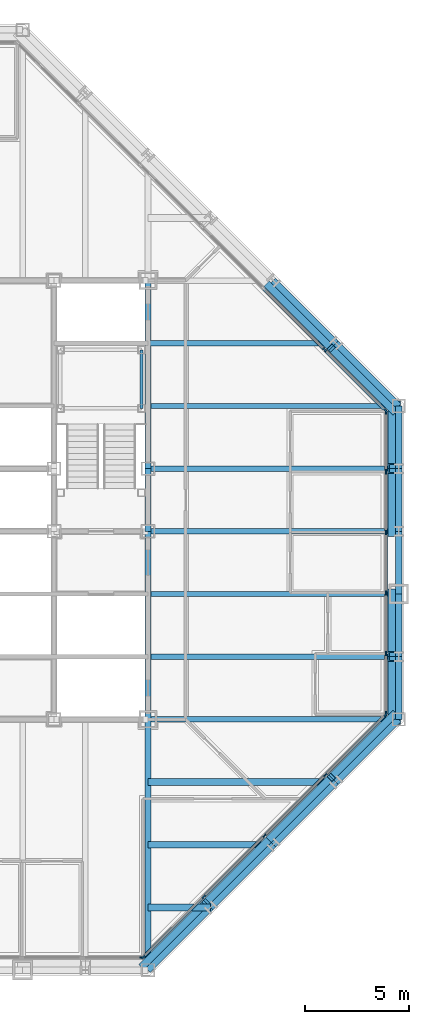
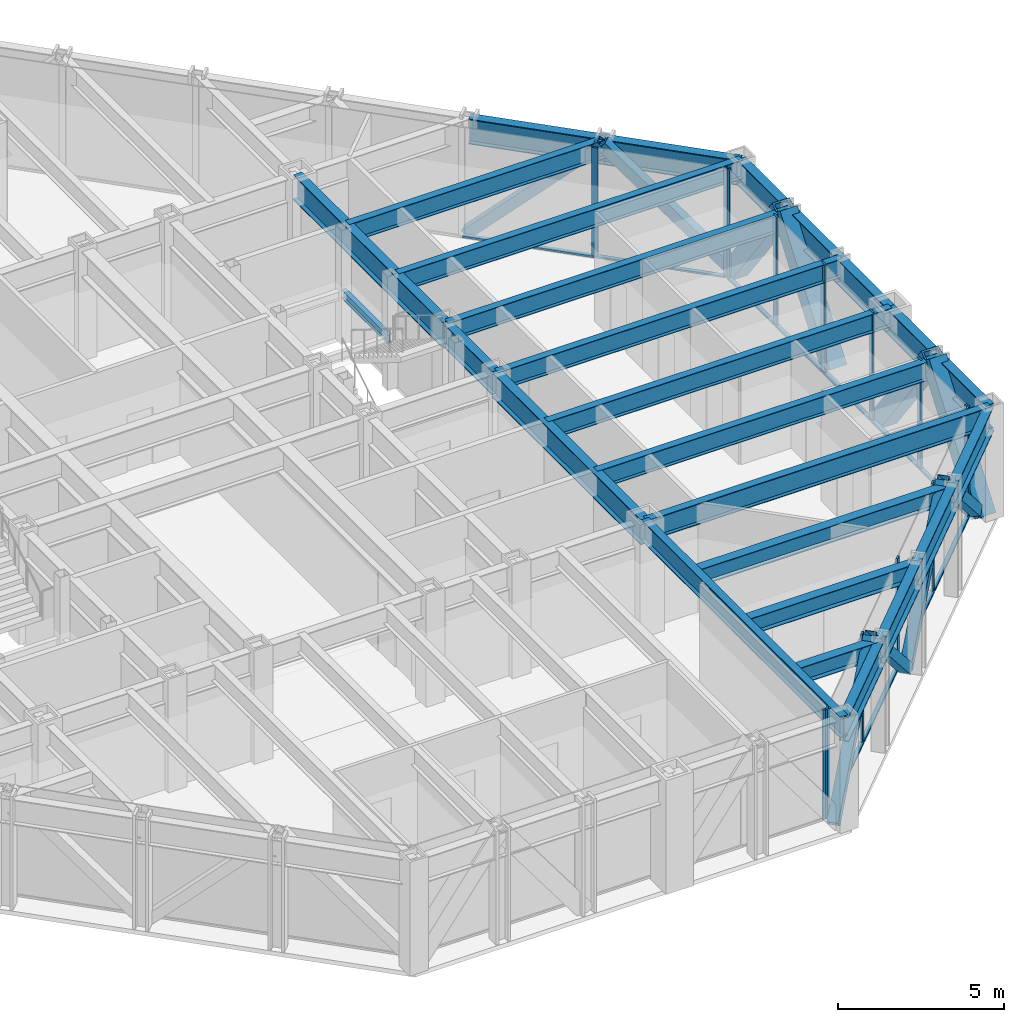
# One storey, part 6 of 15: 35 members, 26 beams, 4 elements without a shape of their own.
"""IFC4 building model written with IfcOpenShell, lengths in metres."""

from ifc_helpers import new_model, si_unit, direction, frame, origin, origin_2d, place, context, subcontext, project, spatial, rectangle, hollow_rectangle, i_section, extrude, material, layer, layer_set, material_profile, profile_set, type_object, element, aggregate, save


model = new_model("IFC4")

# Units and contexts
model_context = context("Model", 3, precision=1e-05, world=origin(), true_north=direction((0.0, 1.0)))
body_context = subcontext(model_context, "Body", "Model", "MODEL_VIEW")
ifc_project = project(units=[si_unit("LENGTHUNIT", "METRE"), si_unit("AREAUNIT", "SQUARE_METRE"), si_unit("VOLUMEUNIT", "CUBIC_METRE"), si_unit("PLANEANGLEUNIT", "RADIAN"), si_unit("MASSUNIT", "GRAM", prefix="KILO")], contexts=[model_context])

# Site, building, storey
site_placement = place(None, origin())
site = spatial("IfcSite", under=ifc_project, at=site_placement, CompositionType="ELEMENT")
building_placement = place(site_placement, origin())
building = spatial("IfcBuilding", under=site, at=building_placement, Name="Chuquiago Exchange Tower", CompositionType="ELEMENT")
storey_placement = place(building_placement, frame((0.0, 0.0, 192.89990234375)))
storey = spatial("IfcBuildingStorey", under=building, at=storey_placement, Name="L42", CompositionType="ELEMENT", Elevation=192.89990234375)

# Beams
ifc_material_1 = material(Name="Steel ASTM A992", Category="steel")
ifc_material_profile_1 = material_profile(ifc_material_1, i_section(OverallWidth=0.25390625, OverallDepth=0.683349609375, WebThickness=0.012451171875, FlangeThickness=0.018798828125, at=origin_2d()), Name="W27X94")
ifc_profile_set_1 = profile_set([ifc_material_profile_1], Name="Steel ASTM A992")
beam_type_1 = type_object("IfcBeamType", Name="B1 W27X94", PredefinedType="BEAM", material=ifc_profile_set_1)
for number, where, z_axis, x_axis, name in (
    (1, (33.0, 15.0, 3.698486328125), (1.0, 0.0, 0.0), (0.0, 1.0, 0.0), "FB-L43-infill-33_15-45_15-0"),
    (2, (33.0, 18.0, 3.698486328125), (1.0, 0.0, 0.0), (0.0, 1.0, 0.0), "FB-L43-infill-33_18-45_18-0"),
    (3, (33.0, 21.0, 3.698486328125), (1.0, 0.0, 0.0), (0.0, 1.0, 0.0), "FB-L43-infill-33_21-45_21-0"),
    (4, (33.0, 24.0, 3.698486328125), (1.0, 0.0, 0.0), (0.0, 1.0, 0.0), "FB-L43-infill-33_24-45_24-0"),
    (5, (33.0, 27.0, 3.698486328125), (1.0, 0.0, 0.0), (0.0, 1.0, 0.0), "FB-L43-infill-33_27-45_27-0"),
):
    element("IfcBeam", number, at=place(storey_placement, frame(where, z_axis=z_axis, x_axis=x_axis)), inside=storey, type_object=beam_type_1, Name=name, PredefinedType="BEAM", context=body_context, shape_type="SweptSolid", body=[
        extrude(i_section(OverallWidth=0.25390625, OverallDepth=0.683349609375, WebThickness=0.012451171875, FlangeThickness=0.018798828125, at=origin_2d()), origin(), (0.0, 0.0, 1.0), 12.0),
    ])
beam_1_placement = place(storey_placement, frame((33.0, 30.0, 3.698486328125), z_axis=(1.0, 0.0, 0.0), x_axis=(0.0, 1.0, 0.0)))
element("IfcBeam", 6, at=beam_1_placement, inside=storey, type_object=beam_type_1, Name="FB-L43-infill-33_30-42_30-0", PredefinedType="BEAM", context=body_context, shape_type="SweptSolid", body=[
    extrude(i_section(OverallWidth=0.25390625, OverallDepth=0.683349609375, WebThickness=0.012451171875, FlangeThickness=0.018798828125, at=origin_2d()), origin(), (0.0, 0.0, 1.0), 9.0),
])
ifc_material_2 = material(Name="Steel ASTM A992", Category="steel")
ifc_material_profile_2 = material_profile(ifc_material_2, i_section(OverallWidth=0.307373046875, OverallDepth=0.927001953125, WebThickness=0.01953125, FlangeThickness=0.031982421875, at=origin_2d()), Name="W36X194")
ifc_profile_set_2 = profile_set([ifc_material_profile_2], Name="Steel ASTM A992")
beam_type_2 = type_object("IfcBeamType", Name="B10 W36X194", PredefinedType="BEAM", material=ifc_profile_set_2)
for number, where, z_axis, x_axis, name in (
    (7, (33.0, 12.0, 3.576416015625), (0.0, 1.0, 0.0), (-1.0, 0.0, 0.0), "CB-L43-33_12-33_21"),
    (8, (33.0, 24.0, 3.576416015625), (0.0, 1.0, 0.0), (-1.0, 0.0, 0.0), "CB-L43-33_24-33_33"),
):
    element("IfcBeam", number, at=place(storey_placement, frame(where, z_axis=z_axis, x_axis=x_axis)), inside=storey, type_object=beam_type_2, Name=name, PredefinedType="BEAM", context=body_context, shape_type="SweptSolid", body=[
        extrude(i_section(OverallWidth=0.307373046875, OverallDepth=0.927001953125, WebThickness=0.01953125, FlangeThickness=0.031982421875, at=origin_2d()), origin(), (0.0, 0.0, 1.0), 9.0),
    ])
ifc_material_3 = material(Name="Steel ASTM A992", Category="steel")
ifc_material_profile_3 = material_profile(ifc_material_3, i_section(OverallWidth=0.3251953125, OverallDepth=0.612060546875, WebThickness=0.0126953125, FlangeThickness=0.01904296875, at=origin_2d()), Name="W24X104")
ifc_profile_set_3 = profile_set([ifc_material_profile_3], Name="Steel ASTM A992")
beam_type_3 = type_object("IfcBeamType", Name="B2 W24X104", PredefinedType="BEAM", material=ifc_profile_set_3)
beam_2_placement = place(storey_placement, frame((33.0, 3.0, 3.73388671875), z_axis=(1.0, 0.0, 0.0), x_axis=(0.0, 1.0, 0.0)))
element("IfcBeam", 9, at=beam_2_placement, inside=storey, type_object=beam_type_3, Name="FB-L43-corner-33_3-36_3-0", PredefinedType="BEAM", context=body_context, shape_type="SweptSolid", body=[
    extrude(i_section(OverallWidth=0.3251953125, OverallDepth=0.612060546875, WebThickness=0.0126953125, FlangeThickness=0.01904296875, at=origin_2d()), origin(), (0.0, 0.0, 1.0), 3.0),
])
beam_3_placement = place(storey_placement, frame((33.0, 6.0, 3.73388671875), z_axis=(1.0, 0.0, 0.0), x_axis=(0.0, 1.0, 0.0)))
element("IfcBeam", 10, at=beam_3_placement, inside=storey, type_object=beam_type_3, Name="FB-L43-corner-33_6-39_6-0", PredefinedType="BEAM", context=body_context, shape_type="SweptSolid", body=[
    extrude(i_section(OverallWidth=0.3251953125, OverallDepth=0.612060546875, WebThickness=0.0126953125, FlangeThickness=0.01904296875, at=origin_2d()), origin(), (0.0, 0.0, 1.0), 6.0),
])
beam_4_placement = place(storey_placement, frame((33.0, 9.0, 3.73388671875), z_axis=(1.0, 0.0, 0.0), x_axis=(0.0, 1.0, 0.0)))
element("IfcBeam", 11, at=beam_4_placement, inside=storey, type_object=beam_type_3, Name="FB-L43-corner-33_9-42_9-0", PredefinedType="BEAM", context=body_context, shape_type="SweptSolid", body=[
    extrude(i_section(OverallWidth=0.3251953125, OverallDepth=0.612060546875, WebThickness=0.0126953125, FlangeThickness=0.01904296875, at=origin_2d()), origin(), (0.0, 0.0, 1.0), 9.0),
])
ifc_material_4 = material(Name="Steel ASTM A992", Category="steel")
ifc_material_profile_4 = material_profile(ifc_material_4, i_section(OverallWidth=0.2919921875, OverallDepth=0.8583984375, WebThickness=0.01708984375, FlangeThickness=0.031005859375, at=origin_2d()), Name="W33X169")
ifc_profile_set_4 = profile_set([ifc_material_profile_4], Name="Steel ASTM A992")
beam_type_4 = type_object("IfcBeamType", Name="B3 W33X169", PredefinedType="BEAM", material=ifc_profile_set_4)
beam_5_placement = place(storey_placement, frame((33.0, 21.0, 3.61083984375), z_axis=(0.0, 1.0, 0.0), x_axis=(-1.0, 0.0, 0.0)))
element("IfcBeam", 12, at=beam_5_placement, inside=storey, type_object=beam_type_4, Name="CB-L43-33_21-33_24", PredefinedType="BEAM", context=body_context, shape_type="SweptSolid", body=[
    extrude(i_section(OverallWidth=0.2919921875, OverallDepth=0.8583984375, WebThickness=0.01708984375, FlangeThickness=0.031005859375, at=origin_2d()), origin(), (0.0, 0.0, 1.0), 3.0),
])

# Curtain wall, member
ifc_material_5 = material(Name="Aluminium curtain wall system", Category="aluminium")
ifc_layer_1 = layer(ifc_material_5, 0.22509765625)
ifc_layer_set_1 = layer_set([ifc_layer_1], Name="CW2 office curtain wall")
curtain_wall_type_1 = type_object("IfcCurtainWallType", Name="CW2 office curtain wall", PredefinedType="NOTDEFINED", material=ifc_layer_set_1)
curtain_wall_1_placement = place(storey_placement, origin())
curtain_wall_1 = element("IfcCurtainWall", 13, at=curtain_wall_1_placement, inside=storey, type_object=curtain_wall_type_1, Name="CW2 curtain wall L42", PredefinedType="NOTDEFINED")
ifc_material_6 = material(Name="Aluminium mullion, pale anodised", Category="aluminium")
ifc_material_profile_5 = material_profile(ifc_material_6, rectangle(XDim=0.06494140625, YDim=0.22509765625, at=origin_2d()), Name="AL 65x225")
ifc_profile_set_5 = profile_set([ifc_material_profile_5], Name="Aluminium mullion, pale anodised")
member_type_1 = type_object("IfcMemberType", Name="CW2-M mullion 65x225", PredefinedType="MULLION", material=ifc_profile_set_5)
member_1_placement = place(storey_placement, frame((32.718994140625, 0.60009765625, 0.0), z_axis=(0.0, 0.0, 1.0), x_axis=(0.0, 1.0, 0.0)))
member_1 = element("IfcMember", 14, at=member_1_placement, type_object=member_type_1, Name="CW2 mullion 6", PredefinedType="MULLION", context=body_context, shape_type="SweptSolid", body=[
    extrude(rectangle(XDim=0.06494140625, YDim=0.22509765625, at=origin_2d()), origin(), (0.0, 0.0, 1.0), 4.0400390625),
])
aggregate(curtain_wall_1, [member_1])

# Curtain wall, members
curtain_wall_2_placement = place(storey_placement, origin())
curtain_wall_2 = element("IfcCurtainWall", 15, at=curtain_wall_2_placement, inside=storey, type_object=curtain_wall_type_1, Name="CW2 curtain wall L42", PredefinedType="NOTDEFINED")
member_2_placement = place(storey_placement, frame((44.39990234375, 12.281005859375, 0.0), z_axis=(0.0, 0.0, 1.0), x_axis=(-1.0, 0.0, 0.0)))
member_2 = element("IfcMember", 16, at=member_2_placement, type_object=member_type_1, Name="CW2 mullion 1", PredefinedType="MULLION", context=body_context, shape_type="SweptSolid", body=[
    extrude(rectangle(XDim=0.06494140625, YDim=0.22509765625, at=origin_2d()), origin(), (0.0, 0.0, 1.0), 4.0400390625),
])
member_3_placement = place(storey_placement, frame((44.39990234375, 15.149169921875, 0.0), z_axis=(0.0, 0.0, 1.0), x_axis=(-1.0, 0.0, 0.0)))
member_3 = element("IfcMember", 17, at=member_3_placement, type_object=member_type_1, Name="CW2 mullion 2", PredefinedType="MULLION", context=body_context, shape_type="SweptSolid", body=[
    extrude(rectangle(XDim=0.06494140625, YDim=0.22509765625, at=origin_2d()), origin(), (0.0, 0.0, 1.0), 4.0400390625),
])
member_4_placement = place(storey_placement, frame((44.39990234375, 18.0498046875, 0.0), z_axis=(0.0, 0.0, 1.0), x_axis=(-1.0, 0.0, 0.0)))
member_4 = element("IfcMember", 18, at=member_4_placement, type_object=member_type_1, Name="CW2 mullion 3", PredefinedType="MULLION", context=body_context, shape_type="SweptSolid", body=[
    extrude(rectangle(XDim=0.06494140625, YDim=0.22509765625, at=origin_2d()), origin(), (0.0, 0.0, 1.0), 4.0400390625),
])
member_5_placement = place(storey_placement, frame((44.39990234375, 20.9501953125, 0.0), z_axis=(0.0, 0.0, 1.0), x_axis=(-1.0, 0.0, 0.0)))
member_5 = element("IfcMember", 19, at=member_5_placement, type_object=member_type_1, Name="CW2 mullion 4", PredefinedType="MULLION", context=body_context, shape_type="SweptSolid", body=[
    extrude(rectangle(XDim=0.06494140625, YDim=0.22509765625, at=origin_2d()), origin(), (0.0, 0.0, 1.0), 4.0400390625),
])
member_6_placement = place(storey_placement, frame((44.39990234375, 23.850830078125, 0.0), z_axis=(0.0, 0.0, 1.0), x_axis=(-1.0, 0.0, 0.0)))
member_6 = element("IfcMember", 20, at=member_6_placement, type_object=member_type_1, Name="CW2 mullion 5", PredefinedType="MULLION", context=body_context, shape_type="SweptSolid", body=[
    extrude(rectangle(XDim=0.06494140625, YDim=0.22509765625, at=origin_2d()), origin(), (0.0, 0.0, 1.0), 4.0400390625),
])
member_7_placement = place(storey_placement, frame((44.39990234375, 26.718994140625, 0.0), z_axis=(0.0, 0.0, 1.0), x_axis=(-1.0, 0.0, 0.0)))
member_7 = element("IfcMember", 21, at=member_7_placement, type_object=member_type_1, Name="CW2 mullion 6", PredefinedType="MULLION", context=body_context, shape_type="SweptSolid", body=[
    extrude(rectangle(XDim=0.06494140625, YDim=0.22509765625, at=origin_2d()), origin(), (0.0, 0.0, 1.0), 4.0400390625),
])
ifc_material_7 = material(Name="Aluminium transom, pale anodised", Category="aluminium")
ifc_material_profile_6 = material_profile(ifc_material_7, rectangle(XDim=0.139892578125, YDim=0.06494140625, at=origin_2d()), Name="AL 140x65")
ifc_profile_set_6 = profile_set([ifc_material_profile_6], Name="Aluminium transom, pale anodised")
member_type_2 = type_object("IfcMemberType", Name="CW2-T transom 65x140", PredefinedType="MULLION", material=ifc_profile_set_6)
member_8_placement = place(storey_placement, frame((44.39990234375, 12.3134765625, 0.03271484375), z_axis=(0.0, 1.0, 0.0), x_axis=(-1.0, 0.0, 0.0)))
member_8 = element("IfcMember", 22, at=member_8_placement, type_object=member_type_2, Name="CW2 transom 1.1", PredefinedType="MULLION", context=body_context, shape_type="SweptSolid", body=[
    extrude(rectangle(XDim=0.139892578125, YDim=0.06494140625, at=origin_2d()), origin(), (0.0, 0.0, 1.0), 2.80322265625),
])
member_9_placement = place(storey_placement, frame((44.39990234375, 15.181640625, 0.03271484375), z_axis=(0.0, 1.0, 0.0), x_axis=(-1.0, 0.0, 0.0)))
member_9 = element("IfcMember", 23, at=member_9_placement, type_object=member_type_2, Name="CW2 transom 2.1", PredefinedType="MULLION", context=body_context, shape_type="SweptSolid", body=[
    extrude(rectangle(XDim=0.139892578125, YDim=0.06494140625, at=origin_2d()), origin(), (0.0, 0.0, 1.0), 2.83544921875),
])
member_10_placement = place(storey_placement, frame((44.39990234375, 18.082275390625, 0.03271484375), z_axis=(0.0, 1.0, 0.0), x_axis=(-1.0, 0.0, 0.0)))
member_10 = element("IfcMember", 24, at=member_10_placement, type_object=member_type_2, Name="CW2 transom 3.1", PredefinedType="MULLION", context=body_context, shape_type="SweptSolid", body=[
    extrude(rectangle(XDim=0.139892578125, YDim=0.06494140625, at=origin_2d()), origin(), (0.0, 0.0, 1.0), 2.83544921875),
])
member_11_placement = place(storey_placement, frame((44.39990234375, 20.98291015625, 0.03271484375), z_axis=(0.0, 1.0, 0.0), x_axis=(-1.0, 0.0, 0.0)))
member_11 = element("IfcMember", 25, at=member_11_placement, type_object=member_type_2, Name="CW2 transom 4.1", PredefinedType="MULLION", context=body_context, shape_type="SweptSolid", body=[
    extrude(rectangle(XDim=0.139892578125, YDim=0.06494140625, at=origin_2d()), origin(), (0.0, 0.0, 1.0), 2.83544921875),
])
member_12_placement = place(storey_placement, frame((44.39990234375, 23.88330078125, 0.03271484375), z_axis=(0.0, 1.0, 0.0), x_axis=(-1.0, 0.0, 0.0)))
member_12 = element("IfcMember", 26, at=member_12_placement, type_object=member_type_2, Name="CW2 transom 5.1", PredefinedType="MULLION", context=body_context, shape_type="SweptSolid", body=[
    extrude(rectangle(XDim=0.139892578125, YDim=0.06494140625, at=origin_2d()), origin(), (0.0, 0.0, 1.0), 2.80322265625),
])
aggregate(curtain_wall_2, [member_2, member_3, member_4, member_5, member_6, member_7, member_8, member_9, member_10, member_11, member_12])

ifc_material_8 = material(Name="Aluminium curtain wall system", Category="aluminium")
ifc_layer_2 = layer(ifc_material_8, 0.199951171875)
ifc_layer_set_2 = layer_set([ifc_layer_2], Name="CW3 facet curtain wall")
curtain_wall_type_2 = type_object("IfcCurtainWallType", Name="CW3 facet curtain wall", PredefinedType="NOTDEFINED", material=ifc_layer_set_2)
curtain_wall_3_placement = place(storey_placement, origin())
curtain_wall_3 = element("IfcCurtainWall", 27, at=curtain_wall_3_placement, inside=storey, type_object=curtain_wall_type_2, Name="CW3 curtain wall L42", PredefinedType="NOTDEFINED")
ifc_material_9 = material(Name="Aluminium mullion, pale anodised", Category="aluminium")
ifc_material_profile_7 = material_profile(ifc_material_9, rectangle(XDim=0.06494140625, YDim=0.199951171875, at=origin_2d()), Name="AL 65x200")
ifc_profile_set_7 = profile_set([ifc_material_profile_7], Name="Aluminium mullion, pale anodised")
member_type_3 = type_object("IfcMemberType", Name="CW3-M mullion 65x200", PredefinedType="MULLION", material=ifc_profile_set_7)
member_13_placement = place(storey_placement, frame((32.7744140625, 0.623046875, 0.0), z_axis=(0.0, 0.0, 1.0), x_axis=(-0.707106781187, 0.707106781187, 0.0)))
member_13 = element("IfcMember", 28, at=member_13_placement, type_object=member_type_3, Name="CW3 mullion 1", PredefinedType="MULLION", context=body_context, shape_type="SweptSolid", body=[
    extrude(rectangle(XDim=0.06494140625, YDim=0.199951171875, at=origin_2d()), origin(), (0.0, 0.0, 1.0), 4.0400390625),
])
member_14_placement = place(storey_placement, frame((35.66357421875, 3.51220703125, 0.0), z_axis=(0.0, 0.0, 1.0), x_axis=(-0.707106781187, 0.707106781187, 0.0)))
member_14 = element("IfcMember", 29, at=member_14_placement, type_object=member_type_3, Name="CW3 mullion 2", PredefinedType="MULLION", context=body_context, shape_type="SweptSolid", body=[
    extrude(rectangle(XDim=0.06494140625, YDim=0.199951171875, at=origin_2d()), origin(), (0.0, 0.0, 1.0), 4.0400390625),
])
member_15_placement = place(storey_placement, frame((38.57568359375, 6.42431640625, 0.0), z_axis=(0.0, 0.0, 1.0), x_axis=(-0.707106781187, 0.707106781187, 0.0)))
member_15 = element("IfcMember", 30, at=member_15_placement, type_object=member_type_3, Name="CW3 mullion 3", PredefinedType="MULLION", context=body_context, shape_type="SweptSolid", body=[
    extrude(rectangle(XDim=0.06494140625, YDim=0.199951171875, at=origin_2d()), origin(), (0.0, 0.0, 1.0), 4.0400390625),
])
member_16_placement = place(storey_placement, frame((41.48779296875, 9.33642578125, 0.0), z_axis=(0.0, 0.0, 1.0), x_axis=(-0.707106781187, 0.707106781187, 0.0)))
member_16 = element("IfcMember", 31, at=member_16_placement, type_object=member_type_3, Name="CW3 mullion 4", PredefinedType="MULLION", context=body_context, shape_type="SweptSolid", body=[
    extrude(rectangle(XDim=0.06494140625, YDim=0.199951171875, at=origin_2d()), origin(), (0.0, 0.0, 1.0), 4.0400390625),
])
member_17_placement = place(storey_placement, frame((44.376953125, 12.2255859375, 0.0), z_axis=(0.0, 0.0, 1.0), x_axis=(-0.707106781187, 0.707106781187, 0.0)))
member_17 = element("IfcMember", 32, at=member_17_placement, type_object=member_type_3, Name="CW3 mullion 5", PredefinedType="MULLION", context=body_context, shape_type="SweptSolid", body=[
    extrude(rectangle(XDim=0.06494140625, YDim=0.199951171875, at=origin_2d()), origin(), (0.0, 0.0, 1.0), 4.0400390625),
])

curtain_wall_4_placement = place(storey_placement, origin())
curtain_wall_4 = element("IfcCurtainWall", 33, at=curtain_wall_4_placement, inside=storey, type_object=curtain_wall_type_2, Name="CW3 curtain wall L42", PredefinedType="NOTDEFINED")
member_18_placement = place(storey_placement, frame((44.376953125, 26.7744140625, 0.0), z_axis=(0.0, 0.0, 1.0), x_axis=(-0.707106781187, -0.707106781187, 0.0)))
member_18 = element("IfcMember", 34, at=member_18_placement, type_object=member_type_3, Name="CW3 mullion 1", PredefinedType="MULLION", context=body_context, shape_type="SweptSolid", body=[
    extrude(rectangle(XDim=0.06494140625, YDim=0.199951171875, at=origin_2d()), origin(), (0.0, 0.0, 1.0), 4.0400390625),
])
member_19_placement = place(storey_placement, frame((41.45849609375, 29.69287109375, 0.0), z_axis=(0.0, 0.0, 1.0), x_axis=(-0.707106781187, -0.707106781187, 0.0)))
member_19 = element("IfcMember", 35, at=member_19_placement, type_object=member_type_3, Name="CW3 mullion 2", PredefinedType="MULLION", context=body_context, shape_type="SweptSolid", body=[
    extrude(rectangle(XDim=0.06494140625, YDim=0.199951171875, at=origin_2d()), origin(), (0.0, 0.0, 1.0), 4.0400390625),
])

# Member
ifc_material_10 = material(Name="Aluminium transom, pale anodised", Category="aluminium")
ifc_material_profile_8 = material_profile(ifc_material_10, rectangle(XDim=0.139892578125, YDim=0.06494140625, at=origin_2d()), Name="AL 140x65")
ifc_profile_set_8 = profile_set([ifc_material_profile_8], Name="Aluminium transom, pale anodised")
member_type_4 = type_object("IfcMemberType", Name="CW3-T transom 65x140", PredefinedType="MULLION", material=ifc_profile_set_8)
member_20_placement = place(storey_placement, frame((32.79736328125, 0.64599609375, 0.03271484375), z_axis=(0.707106781187, 0.707106781187, 0.0), x_axis=(-0.707106781187, 0.707106781187, 0.0)))
member_20 = element("IfcMember", 36, at=member_20_placement, type_object=member_type_4, Name="CW3 transom 1.1", PredefinedType="MULLION", context=body_context, shape_type="SweptSolid", body=[
    extrude(rectangle(XDim=0.139892578125, YDim=0.06494140625, at=origin_2d()), origin(), (0.0, 0.0, 1.0), 4.02099609375),
])

member_21_placement = place(storey_placement, frame((35.6865234375, 3.53515625, 0.03271484375), z_axis=(0.707106781187, 0.707106781187, 0.0), x_axis=(-0.707106781187, 0.707106781187, 0.0)))
member_21 = element("IfcMember", 37, at=member_21_placement, type_object=member_type_4, Name="CW3 transom 2.1", PredefinedType="MULLION", context=body_context, shape_type="SweptSolid", body=[
    extrude(rectangle(XDim=0.139892578125, YDim=0.06494140625, at=origin_2d()), origin(), (0.0, 0.0, 1.0), 4.053466796875),
])

member_22_placement = place(storey_placement, frame((38.5986328125, 6.447265625, 0.03271484375), z_axis=(0.707106781187, 0.707106781187, 0.0), x_axis=(-0.707106781187, 0.707106781187, 0.0)))
member_22 = element("IfcMember", 38, at=member_22_placement, type_object=member_type_4, Name="CW3 transom 3.1", PredefinedType="MULLION", context=body_context, shape_type="SweptSolid", body=[
    extrude(rectangle(XDim=0.139892578125, YDim=0.06494140625, at=origin_2d()), origin(), (0.0, 0.0, 1.0), 4.053466796875),
])

member_23_placement = place(storey_placement, frame((41.5107421875, 9.359375, 0.03271484375), z_axis=(0.707106781187, 0.707106781187, 0.0), x_axis=(-0.707106781187, 0.707106781187, 0.0)))
member_23 = element("IfcMember", 39, at=member_23_placement, type_object=member_type_4, Name="CW3 transom 4.1", PredefinedType="MULLION", context=body_context, shape_type="SweptSolid", body=[
    extrude(rectangle(XDim=0.139892578125, YDim=0.06494140625, at=origin_2d()), origin(), (0.0, 0.0, 1.0), 4.02099609375),
])

aggregate(curtain_wall_3, [member_13, member_14, member_15, member_16, member_17, member_20, member_21, member_22, member_23])

member_24_placement = place(storey_placement, frame((44.35400390625, 26.79736328125, 0.03271484375), z_axis=(-0.707106781187, 0.707106781187, 0.0), x_axis=(-0.707106781187, -0.707106781187, 0.0)))
member_24 = element("IfcMember", 40, at=member_24_placement, type_object=member_type_4, Name="CW3 transom 1.1", PredefinedType="MULLION", context=body_context, shape_type="SweptSolid", body=[
    extrude(rectangle(XDim=0.139892578125, YDim=0.06494140625, at=origin_2d()), origin(), (0.0, 0.0, 1.0), 4.0625),
])

member_25_placement = place(storey_placement, frame((41.435546875, 29.7158203125, 0.03271484375), z_axis=(-0.707106781187, 0.707106781187, 0.0), x_axis=(-0.707106781187, -0.707106781187, 0.0)))
member_25 = element("IfcMember", 41, at=member_25_placement, type_object=member_type_4, Name="CW3 transom 2.1", PredefinedType="MULLION", context=body_context, shape_type="SweptSolid", body=[
    extrude(rectangle(XDim=0.139892578125, YDim=0.06494140625, at=origin_2d()), origin(), (0.0, 0.0, 1.0), 4.094970703125),
])

aggregate(curtain_wall_4, [member_18, member_19, member_24, member_25])

# Beams
ifc_material_11 = material(Name="Steel ASTM A992", Category="steel")
ifc_material_profile_9 = material_profile(ifc_material_11, i_section(OverallWidth=0.2666015625, OverallDepth=0.76953125, WebThickness=0.015625, FlangeThickness=0.025390625, at=origin_2d()), Name="W30X132")
ifc_profile_set_9 = profile_set([ifc_material_profile_9], Name="Steel ASTM A992")
beam_type_5 = type_object("IfcBeamType", Name="G1 W30X132", PredefinedType="BEAM", material=ifc_profile_set_9)
for number, where, z_axis, x_axis, name in (
    (42, (33.0, 12.0, 3.6552734375), (0.0, -1.0, 0.0), (1.0, 0.0, 0.0), "FB-L43-girder-33_12-33_-0-0"),
    (43, (33.0, 12.0, 3.6552734375), (1.0, 0.0, 0.0), (0.0, 1.0, 0.0), "FB-L43-girder-33_12-45_12-0"),
):
    element("IfcBeam", number, at=place(storey_placement, frame(where, z_axis=z_axis, x_axis=x_axis)), inside=storey, type_object=beam_type_5, Name=name, PredefinedType="BEAM", context=body_context, shape_type="SweptSolid", body=[
        extrude(i_section(OverallWidth=0.2666015625, OverallDepth=0.76953125, WebThickness=0.015625, FlangeThickness=0.025390625, at=origin_2d()), origin(), (0.0, 0.0, 1.0), 12.0),
    ])

# Members
ifc_material_12 = material(Name="Steel ASTM A500 Grade C", Category="steel")
ifc_material_profile_10 = material_profile(ifc_material_12, hollow_rectangle(XDim=0.355712890625, YDim=0.355712890625, WallThickness=0.0146484375, at=origin_2d()), Name="HSS14X14X5/8")
ifc_profile_set_10 = profile_set([ifc_material_profile_10], Name="Steel ASTM A500 Grade C")
member_type_5 = type_object("IfcMemberType", Name="LB2 HSS14X14X5/8", PredefinedType="BRACE", material=ifc_profile_set_10)
for number, where, z_axis, x_axis, name in (
    (44, (32.7685546875, 0.2314453125, 0.0), (0.512077265487, 0.512077265487, 0.689604051861), (-0.707106781187, 0.707106781187, 0.0), "LB-L42-33_0-36_3"),
    (45, (38.7685546875, 6.2314453125, 0.0), (-0.512077265487, -0.512077265487, 0.689604051861), (0.707106781187, -0.707106781187, 0.0), "LB-L42-36_3-39_6"),
    (46, (38.7685546875, 6.2314453125, 0.0), (0.512077265487, 0.512077265487, 0.689604051861), (-0.707106781187, 0.707106781187, 0.0), "LB-L42-39_6-42_9"),
    (47, (44.7685546875, 12.2314453125, 0.0), (-0.512077265487, -0.512077265487, 0.689604051861), (0.707106781187, -0.707106781187, 0.0), "LB-L42-42_9-45_12"),
    (48, (44.7685546875, 26.7685546875, 0.0), (-0.512077265487, 0.512077265487, 0.689604051861), (-0.707106781187, -0.707106781187, 0.0), "LB-L42-45_27-42_30"),
    (49, (38.7685546875, 32.7685546875, 0.0), (0.512077265487, -0.512077265487, 0.689604051861), (0.707106781187, 0.707106781187, 0.0), "LB-L42-42_30-39_33"),
):
    element("IfcMember", number, at=place(storey_placement, frame(where, z_axis=z_axis, x_axis=x_axis)), inside=storey, type_object=member_type_5, Name=name, PredefinedType="BRACE", context=body_context, shape_type="SweptSolid", body=[
        extrude(hollow_rectangle(XDim=0.355712890625, YDim=0.355712890625, WallThickness=0.0146484375, at=origin_2d()), origin(), (0.0, 0.0, 1.0), 5.8583984375),
    ])

# Beam
ifc_material_13 = material(Name="Steel ASTM A992", Category="steel")
ifc_material_profile_11 = material_profile(ifc_material_13, i_section(OverallWidth=0.164794921875, OverallDepth=0.309814453125, WebThickness=0.005859375, FlangeThickness=0.009765625, at=origin_2d()), Name="W12X26")
ifc_profile_set_11 = profile_set([ifc_material_profile_11], Name="Steel ASTM A992")
beam_type_6 = type_object("IfcBeamType", Name="LS1 W12X26", PredefinedType="BEAM", material=ifc_profile_set_11)
beam_6_placement = place(storey_placement, frame((32.68994140625, 26.889892578125, 1.7451171875), z_axis=(0.0, 1.0, 0.0), x_axis=(-1.0, 0.0, 0.0)))
element("IfcBeam", 50, at=beam_6_placement, inside=storey, type_object=beam_type_6, Name="Stair ST2 L42 landing 1 stringer", PredefinedType="BEAM", context=body_context, shape_type="SweptSolid", body=[
    extrude(i_section(OverallWidth=0.164794921875, OverallDepth=0.309814453125, WebThickness=0.005859375, FlangeThickness=0.009765625, at=origin_2d()), origin(), (0.0, 0.0, 1.0), 2.800048828125),
])

# Members
ifc_material_14 = material(Name="Steel ASTM A572 Grade 50", Category="steel")
ifc_material_profile_12 = material_profile(ifc_material_14, hollow_rectangle(XDim=0.60009765625, YDim=0.60009765625, WallThickness=0.06005859375, at=origin_2d()), Name="BOX600X600X60")
ifc_profile_set_12 = profile_set([ifc_material_profile_12], Name="Steel ASTM A572 Grade 50")
member_type_6 = type_object("IfcMemberType", Name="MB3 BOX600X600X60", PredefinedType="BRACE", material=ifc_profile_set_12)
for number, where, z_axis, x_axis, name in (
    (51, (44.794921875, 12.0, 0.0), (0.0, 0.596173923302, 0.802855312728), (-1.0, 0.0, 0.0), "Mega diagonal L42 E face"),
    (52, (44.794921875, 18.0, 0.0), (0.0, -0.596173923302, 0.802855312728), (1.0, 0.0, 0.0), "Mega diagonal L42 E face"),
    (53, (44.794921875, 21.0, 0.0), (0.0, 0.596173923302, 0.802855312728), (-1.0, 0.0, 0.0), "Mega diagonal L42 E face"),
    (54, (44.794921875, 27.0, 0.0), (0.0, -0.596173923302, 0.802855312728), (1.0, 0.0, 0.0), "Mega diagonal L42 E face"),
):
    element("IfcMember", number, at=place(storey_placement, frame(where, z_axis=z_axis, x_axis=x_axis)), inside=storey, type_object=member_type_6, Name=name, PredefinedType="BRACE", context=body_context, shape_type="SweptSolid", body=[
        extrude(hollow_rectangle(XDim=0.60009765625, YDim=0.60009765625, WallThickness=0.06005859375, at=origin_2d()), origin(), (0.0, 0.0, 1.0), 5.031982421875),
    ])

# Beams
ifc_material_15 = material(Name="Steel ASTM A992", Category="steel")
ifc_material_profile_13 = material_profile(ifc_material_15, i_section(OverallWidth=0.307373046875, OverallDepth=0.927001953125, WebThickness=0.01953125, FlangeThickness=0.031982421875, at=origin_2d()), Name="W36X194")
ifc_profile_set_13 = profile_set([ifc_material_profile_13], Name="Steel ASTM A992")
beam_type_7 = type_object("IfcBeamType", Name="SP3 W36X194", PredefinedType="SPANDREL", material=ifc_profile_set_13)
for number, where, z_axis, x_axis, name in (
    (55, (33.0, 0.0, 3.576416015625), (0.707106781187, 0.707106781187, 0.0), (-0.707106781187, 0.707106781187, 0.0), "SPB-L43-33_0-36_3"),
    (56, (36.0, 3.0, 3.576416015625), (0.707106781187, 0.707106781187, 0.0), (-0.707106781187, 0.707106781187, 0.0), "SPB-L43-36_3-39_6"),
    (57, (39.0, 6.0, 3.576416015625), (0.707106781187, 0.707106781187, 0.0), (-0.707106781187, 0.707106781187, 0.0), "SPB-L43-39_6-42_9"),
    (58, (42.0, 9.0, 3.576416015625), (0.707106781187, 0.707106781187, 0.0), (-0.707106781187, 0.707106781187, 0.0), "SPB-L43-42_9-45_12"),
):
    element("IfcBeam", number, at=place(storey_placement, frame(where, z_axis=z_axis, x_axis=x_axis)), inside=storey, type_object=beam_type_7, Name=name, PredefinedType="SPANDREL", context=body_context, shape_type="SweptSolid", body=[
        extrude(i_section(OverallWidth=0.307373046875, OverallDepth=0.927001953125, WebThickness=0.01953125, FlangeThickness=0.031982421875, at=origin_2d()), origin(), (0.0, 0.0, 1.0), 4.24267578125),
    ])
for number, where, z_axis, x_axis, name in (
    (59, (45.0, 12.0, 3.576416015625), (0.0, 1.0, 0.0), (-1.0, 0.0, 0.0), "SPB-L43-45_12-45_15"),
    (60, (45.0, 15.0, 3.576416015625), (0.0, 1.0, 0.0), (-1.0, 0.0, 0.0), "SPB-L43-45_15-45_18"),
    (61, (45.0, 18.0, 3.576416015625), (0.0, 1.0, 0.0), (-1.0, 0.0, 0.0), "SPB-L43-45_18-45_21"),
    (62, (45.0, 21.0, 3.576416015625), (0.0, 1.0, 0.0), (-1.0, 0.0, 0.0), "SPB-L43-45_21-45_24"),
    (63, (45.0, 24.0, 3.576416015625), (0.0, 1.0, 0.0), (-1.0, 0.0, 0.0), "SPB-L43-45_24-45_27"),
):
    element("IfcBeam", number, at=place(storey_placement, frame(where, z_axis=z_axis, x_axis=x_axis)), inside=storey, type_object=beam_type_7, Name=name, PredefinedType="SPANDREL", context=body_context, shape_type="SweptSolid", body=[
        extrude(i_section(OverallWidth=0.307373046875, OverallDepth=0.927001953125, WebThickness=0.01953125, FlangeThickness=0.031982421875, at=origin_2d()), origin(), (0.0, 0.0, 1.0), 3.0),
    ])
for number, where, z_axis, x_axis, name in (
    (64, (45.0, 27.0, 3.576416015625), (-0.707106781187, 0.707106781187, 0.0), (-0.707106781187, -0.707106781187, 0.0), "SPB-L43-45_27-42_30"),
    (65, (42.0, 30.0, 3.576416015625), (-0.707106781187, 0.707106781187, 0.0), (-0.707106781187, -0.707106781187, 0.0), "SPB-L43-42_30-39_33"),
):
    element("IfcBeam", number, at=place(storey_placement, frame(where, z_axis=z_axis, x_axis=x_axis)), inside=storey, type_object=beam_type_7, Name=name, PredefinedType="SPANDREL", context=body_context, shape_type="SweptSolid", body=[
        extrude(i_section(OverallWidth=0.307373046875, OverallDepth=0.927001953125, WebThickness=0.01953125, FlangeThickness=0.031982421875, at=origin_2d()), origin(), (0.0, 0.0, 1.0), 4.24267578125),
    ])

save(model, "model.ifc")
